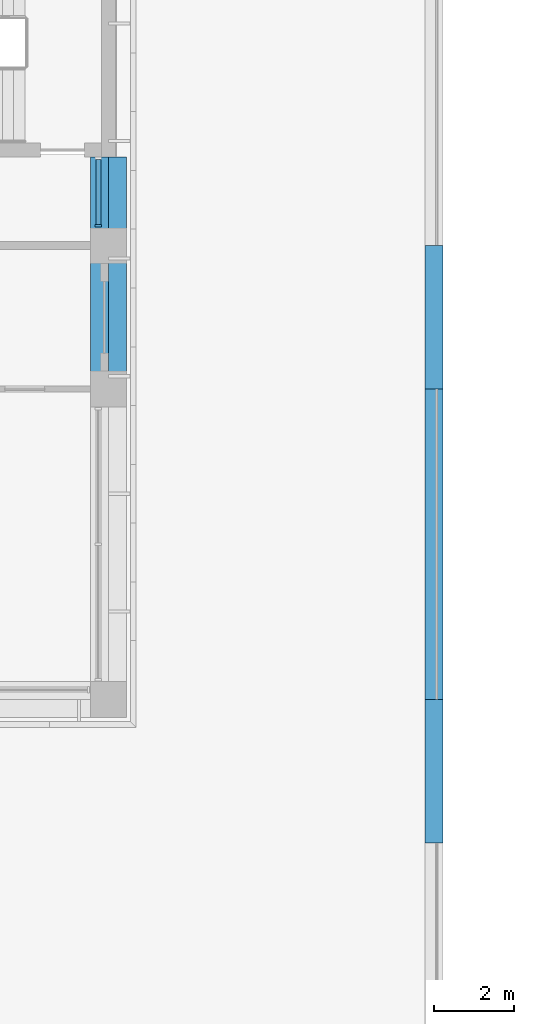
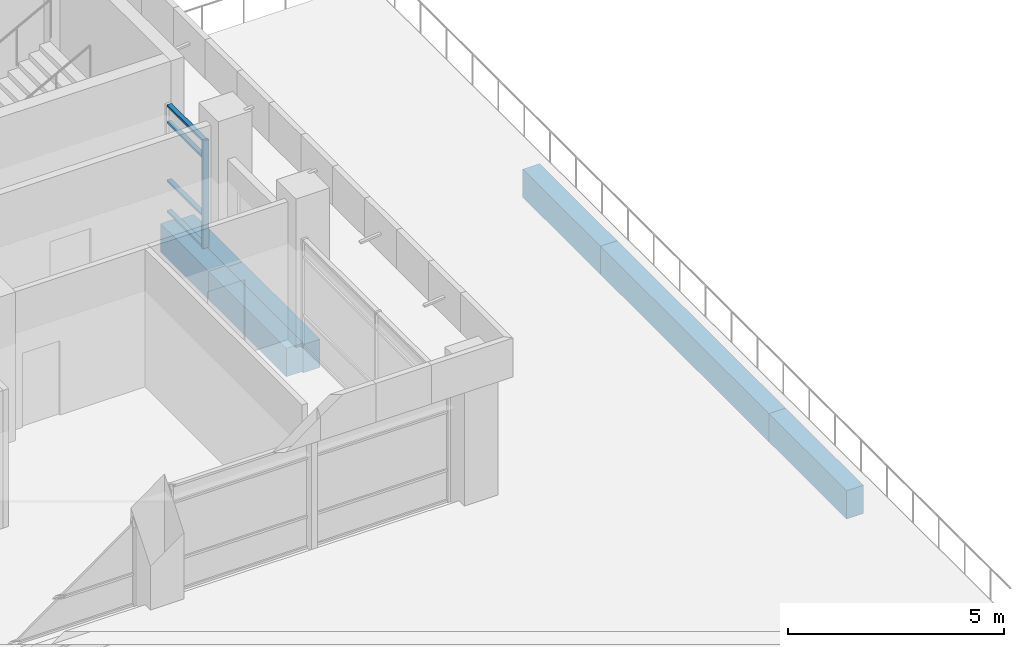
# One storey, part 41 of 137: 7 beams, 5 members, 1 element without a shape of its own.
"""IFC4 building model written with IfcOpenShell, lengths in metres."""

from ifc_helpers import new_model, si_unit, direction, frame, origin, origin_2d, place, context, subcontext, project, spatial, rectangle, extrude, material, material_profile, profile_set, type_object, element, aggregate, save


model = new_model("IFC4")

# Units and contexts
model_context = context("Model", 3, precision=1e-05, world=origin(), true_north=direction((0.0, 1.0)))
body_context = subcontext(model_context, "Body", "Model", "MODEL_VIEW")
ifc_project = project(units=[si_unit("LENGTHUNIT", "METRE"), si_unit("AREAUNIT", "SQUARE_METRE"), si_unit("VOLUMEUNIT", "CUBIC_METRE"), si_unit("PLANEANGLEUNIT", "RADIAN"), si_unit("MASSUNIT", "GRAM", prefix="KILO")], contexts=[model_context])

# Site, building, storey
site_placement = place(None, origin())
site = spatial("IfcSite", under=ifc_project, at=site_placement, CompositionType="ELEMENT")
building_placement = place(site_placement, origin())
building = spatial("IfcBuilding", under=site, at=building_placement, Name="Bougainvillea Quay General Hospital", CompositionType="ELEMENT")
storey_placement = place(building_placement, frame((0.0, 0.0, 16.800048828125)))
storey = spatial("IfcBuildingStorey", under=building, at=storey_placement, Name="L03", CompositionType="ELEMENT", Elevation=16.800048828125)

# Curtain wall, members
ifc_material_1 = material(Name="Aluminium curtain wall system, powder-coated glazed", Category="aluminium")
curtain_wall_type = type_object("IfcCurtainWallType", Name="Unitised curtain wall CW-1755", PredefinedType="NOTDEFINED", material=ifc_material_1)
curtain_wall_placement = place(storey_placement, origin())
curtain_wall = element("IfcCurtainWall", 1, at=curtain_wall_placement, inside=storey, type_object=curtain_wall_type, Name="CW-4200 02", PredefinedType="NOTDEFINED")
ifc_material_2 = material(Name="Aluminium mullion, powder-coated charcoal", Category="aluminium")
ifc_material_profile_1 = material_profile(ifc_material_2, rectangle(XDim=0.159912109375, YDim=0.06005859375, at=origin_2d()))
ifc_profile_set_1 = profile_set([ifc_material_profile_1], Name="Aluminium mullion, powder-coated charcoal")
member_type_1 = type_object("IfcMemberType", Name="Curtain wall mullion 160x60", PredefinedType="MULLION", material=ifc_profile_set_1)
member_1_placement = place(storey_placement, frame((184.550048828125, 152.300048828125, 0.0), z_axis=(0.0, 0.0, 1.0), x_axis=(-1.0, 0.0, 0.0)))
member_1 = element("IfcMember", 2, at=member_1_placement, type_object=member_type_1, Name="CW-4200 mullion 1", PredefinedType="MULLION", context=body_context, shape_type="SweptSolid", body=[
    extrude(rectangle(XDim=0.159912109375, YDim=0.06005859375, at=origin_2d()), origin(), (0.0, 0.0, 1.0), 3.050048828125),
])
ifc_material_3 = material(Name="Aluminium transom, powder-coated charcoal", Category="aluminium")
ifc_material_profile_2 = material_profile(ifc_material_3, rectangle(XDim=0.1201171875, YDim=0.06005859375, at=origin_2d()))
ifc_profile_set_2 = profile_set([ifc_material_profile_2], Name="Aluminium transom, powder-coated charcoal")
member_type_2 = type_object("IfcMemberType", Name="Curtain wall transom 120x60", PredefinedType="USERDEFINED", material=ifc_profile_set_2)
member_2_placement = place(storey_placement, frame((184.550048828125, 152.330078125, 0.030029296875), z_axis=(0.0, 1.0, 0.0), x_axis=(-1.0, 0.0, 0.0)))
member_2 = element("IfcMember", 3, at=member_2_placement, type_object=member_type_2, Name="CW-4200 transom 1.1", ObjectType="TRANSOM", PredefinedType="USERDEFINED", context=body_context, shape_type="SweptSolid", body=[
    extrude(rectangle(XDim=0.1201171875, YDim=0.06005859375, at=origin_2d()), origin(), (0.0, 0.0, 1.0), 1.635009765625),
])
member_3_placement = place(storey_placement, frame((184.550048828125, 152.330078125, 0.89990234375), z_axis=(0.0, 1.0, 0.0), x_axis=(-1.0, 0.0, 0.0)))
member_3 = element("IfcMember", 4, at=member_3_placement, type_object=member_type_2, Name="CW-4200 transom 1.2", ObjectType="TRANSOM", PredefinedType="USERDEFINED", context=body_context, shape_type="SweptSolid", body=[
    extrude(rectangle(XDim=0.1201171875, YDim=0.06005859375, at=origin_2d()), origin(), (0.0, 0.0, 1.0), 1.635009765625),
])
member_4_placement = place(storey_placement, frame((184.550048828125, 152.330078125, 2.550048828125), z_axis=(0.0, 1.0, 0.0), x_axis=(-1.0, 0.0, 0.0)))
member_4 = element("IfcMember", 5, at=member_4_placement, type_object=member_type_2, Name="CW-4200 transom 1.3", ObjectType="TRANSOM", PredefinedType="USERDEFINED", context=body_context, shape_type="SweptSolid", body=[
    extrude(rectangle(XDim=0.1201171875, YDim=0.06005859375, at=origin_2d()), origin(), (0.0, 0.0, 1.0), 1.635009765625),
])
member_5_placement = place(storey_placement, frame((184.550048828125, 152.330078125, 3.02001953125), z_axis=(0.0, 1.0, 0.0), x_axis=(-1.0, 0.0, 0.0)))
member_5 = element("IfcMember", 6, at=member_5_placement, type_object=member_type_2, Name="CW-4200 transom 1.4", ObjectType="TRANSOM", PredefinedType="USERDEFINED", context=body_context, shape_type="SweptSolid", body=[
    extrude(rectangle(XDim=0.1201171875, YDim=0.06005859375, at=origin_2d()), origin(), (0.0, 0.0, 1.0), 1.635009765625),
])
aggregate(curtain_wall, [member_1, member_2, member_3, member_4, member_5])

# Beams
ifc_material_4 = material(Name="Concrete C40", Category="concrete")
ifc_material_profile_3 = material_profile(ifc_material_4, rectangle(XDim=0.449951171875, YDim=0.800048828125, at=origin_2d()))
ifc_profile_set_3 = profile_set([ifc_material_profile_3], Name="Concrete C40")
beam_type = type_object("IfcBeamType", Name="RC BEAM 450x800 C40", PredefinedType="BEAM", material=ifc_profile_set_3)
beam_1_placement = place(storey_placement, frame((184.574951171875, 148.199951171875, -0.699951171875), z_axis=(0.0, 1.0, 0.0), x_axis=(-1.0, 0.0, 0.0)))
element("IfcBeam", 7, at=beam_1_placement, inside=storey, type_object=beam_type, Name="Edge beam L03", PredefinedType="BEAM", context=body_context, shape_type="SweptSolid", body=[
    extrude(rectangle(XDim=0.449951171875, YDim=0.800048828125, at=origin_2d()), origin(), (0.0, 0.0, 1.0), 3.60009765625),
])
beam_2_placement = place(storey_placement, frame((184.574951171875, 151.800048828125, -0.699951171875), z_axis=(0.0, 1.0, 0.0), x_axis=(-1.0, 0.0, 0.0)))
element("IfcBeam", 8, at=beam_2_placement, inside=storey, type_object=beam_type, Name="Edge beam L03", PredefinedType="BEAM", context=body_context, shape_type="SweptSolid", body=[
    extrude(rectangle(XDim=0.449951171875, YDim=0.800048828125, at=origin_2d()), origin(), (0.0, 0.0, 1.0), 2.224853515625),
])
beam_3_placement = place(storey_placement, frame((192.97509765625, 136.800048828125, -0.75), z_axis=(0.0, 1.0, 0.0), x_axis=(-1.0, 0.0, 0.0)))
element("IfcBeam", 9, at=beam_3_placement, inside=storey, type_object=beam_type, Name="Edge beam L03", PredefinedType="BEAM", context=body_context, shape_type="SweptSolid", body=[
    extrude(rectangle(XDim=0.449951171875, YDim=0.800048828125, at=origin_2d()), origin(), (0.0, 0.0, 1.0), 3.599853515625),
])
beam_4_placement = place(storey_placement, frame((192.97509765625, 140.39990234375, -0.75), z_axis=(0.0, 1.0, 0.0), x_axis=(-1.0, 0.0, 0.0)))
element("IfcBeam", 10, at=beam_4_placement, inside=storey, type_object=beam_type, Name="Edge beam L03", PredefinedType="BEAM", context=body_context, shape_type="SweptSolid", body=[
    extrude(rectangle(XDim=0.449951171875, YDim=0.800048828125, at=origin_2d()), origin(), (0.0, 0.0, 1.0), 7.800048828125),
])
beam_5_placement = place(storey_placement, frame((192.97509765625, 148.199951171875, -0.75), z_axis=(0.0, 1.0, 0.0), x_axis=(-1.0, 0.0, 0.0)))
element("IfcBeam", 11, at=beam_5_placement, inside=storey, type_object=beam_type, Name="Edge beam L03", PredefinedType="BEAM", context=body_context, shape_type="SweptSolid", body=[
    extrude(rectangle(XDim=0.449951171875, YDim=0.800048828125, at=origin_2d()), origin(), (0.0, 0.0, 1.0), 3.60009765625),
])
beam_6_placement = place(storey_placement, frame((185.02490234375, 154.02490234375, -0.75), z_axis=(0.0, -1.0, 0.0), x_axis=(1.0, 0.0, 0.0)))
element("IfcBeam", 12, at=beam_6_placement, inside=storey, type_object=beam_type, Name="Edge beam L03", PredefinedType="BEAM", context=body_context, shape_type="SweptSolid", body=[
    extrude(rectangle(XDim=0.449951171875, YDim=0.800048828125, at=origin_2d()), origin(), (0.0, 0.0, 1.0), 2.224853515625),
])
beam_7_placement = place(storey_placement, frame((185.02490234375, 151.800048828125, -0.75), z_axis=(0.0, -1.0, 0.0), x_axis=(1.0, 0.0, 0.0)))
element("IfcBeam", 13, at=beam_7_placement, inside=storey, type_object=beam_type, Name="Edge beam L03", PredefinedType="BEAM", context=body_context, shape_type="SweptSolid", body=[
    extrude(rectangle(XDim=0.449951171875, YDim=0.800048828125, at=origin_2d()), origin(), (0.0, 0.0, 1.0), 3.60009765625),
])

save(model, "model.ifc")
